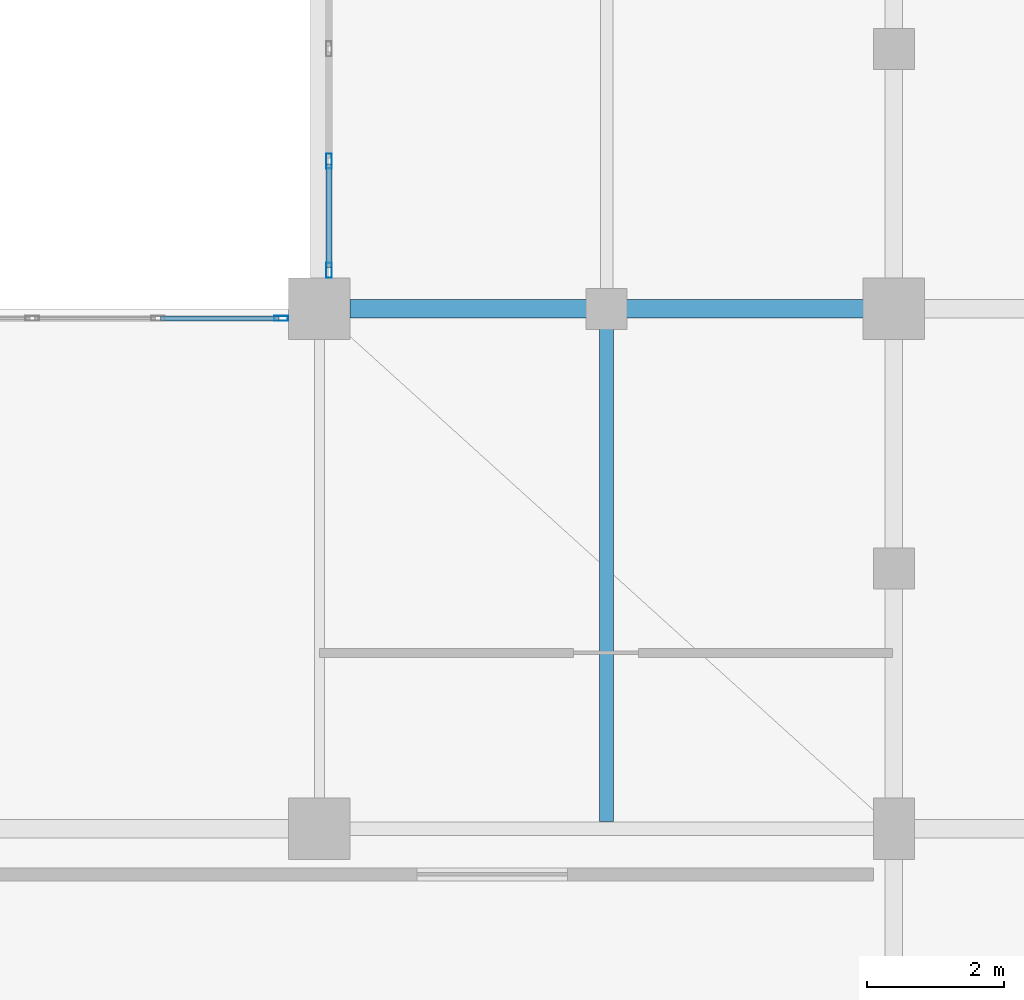
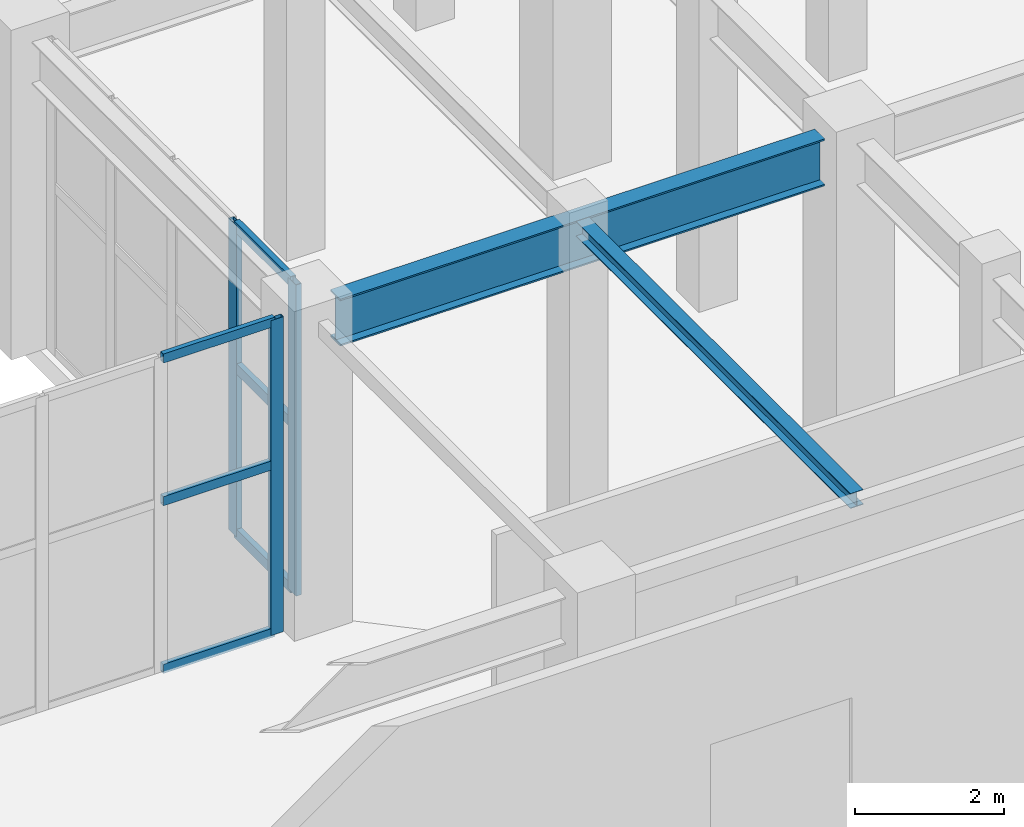
# One storey, part 23 of 139: 9 members, 2 beams, 2 elements without a shape of their own.
"""IFC4 building model written with IfcOpenShell, lengths in metres."""

from ifc_helpers import new_model, si_unit, direction, frame, origin, origin_2d, place, context, subcontext, project, spatial, hollow_rectangle, i_section, extrude, material, layer, layer_set, material_profile, profile_set, type_object, element, aggregate, save


model = new_model("IFC4")

# Units and contexts
model_context = context("Model", 3, precision=1e-05, world=origin(), true_north=direction((0.0, 1.0)))
body_context = subcontext(model_context, "Body", "Model", "MODEL_VIEW")
ifc_project = project(units=[si_unit("LENGTHUNIT", "METRE"), si_unit("AREAUNIT", "SQUARE_METRE"), si_unit("VOLUMEUNIT", "CUBIC_METRE"), si_unit("PLANEANGLEUNIT", "RADIAN"), si_unit("MASSUNIT", "GRAM", prefix="KILO")], contexts=[model_context])

# Site, building, storey
site_placement = place(None, origin())
site = spatial("IfcSite", under=ifc_project, at=site_placement, CompositionType="ELEMENT")
building_placement = place(site_placement, origin())
building = spatial("IfcBuilding", under=site, at=building_placement, Name="Xicomal Pleat Aquarium", CompositionType="ELEMENT")
storey_placement = place(building_placement, origin())
storey = spatial("IfcBuildingStorey", under=building, at=storey_placement, Name="L01", CompositionType="ELEMENT", Elevation=0.0)

# Beams
ifc_material_1 = material(Name="Structural steel A992 Gr 50", Category="steel")
ifc_material_profile_1 = material_profile(ifc_material_1, i_section(OverallWidth=0.201904296875, OverallDepth=0.2470703125, WebThickness=0.00732421875, FlangeThickness=0.010986328125, at=origin_2d()), Name="IR 250x49")
ifc_profile_set_1 = profile_set([ifc_material_profile_1], Name="Structural steel A992 Gr 50")
beam_type_1 = type_object("IfcBeamType", Name="BM-STL-IR250", PredefinedType="JOIST", material=ifc_profile_set_1)
beam_1_placement = place(storey_placement, frame((48.0, 30.5029296875, 4.9765625), z_axis=(0.0, 1.0, 0.0), x_axis=(-1.0, 0.0, 0.0)))
element("IfcBeam", 1, at=beam_1_placement, inside=storey, type_object=beam_type_1, Name="L01 framing beam FBJ-L01-06-E-1", PredefinedType="JOIST", context=body_context, shape_type="SweptSolid", body=[
    extrude(i_section(OverallWidth=0.201904296875, OverallDepth=0.2470703125, WebThickness=0.00732421875, FlangeThickness=0.010986328125, at=origin_2d()), origin(), (0.0, 0.0, 1.0), 7.360107421875),
])
ifc_material_2 = material(Name="Structural steel A992 Gr 50", Category="steel")
ifc_material_profile_2 = material_profile(ifc_material_2, i_section(OverallWidth=0.26806640625, OverallDepth=0.77001953125, WebThickness=0.015625, FlangeThickness=0.025390625, at=origin_2d()), Name="IR 760x196")
ifc_profile_set_2 = profile_set([ifc_material_profile_2], Name="Structural steel A992 Gr 50")
beam_type_2 = type_object("IfcBeamType", Name="BM-STL-IR760", PredefinedType="BEAM", material=ifc_profile_set_2)
beam_2_placement = place(storey_placement, frame((44.2451171875, 38.0, 4.715087890625), z_axis=(1.0, 0.0, 0.0), x_axis=(0.0, 1.0, 0.0)))
element("IfcBeam", 2, at=beam_2_placement, inside=storey, type_object=beam_type_2, Name="L01 framing beam FGX-L01-06-07-F", PredefinedType="BEAM", context=body_context, shape_type="SweptSolid", body=[
    extrude(i_section(OverallWidth=0.26806640625, OverallDepth=0.77001953125, WebThickness=0.015625, FlangeThickness=0.025390625, at=origin_2d()), origin(), (0.0, 0.0, 1.0), 7.509765625),
])

# Curtain wall, member
ifc_material_3 = material(Name="Bronze anodized aluminium 6063-T6", Category="aluminium")
ifc_layer_1 = layer(ifc_material_3, 0.159912109375)
ifc_layer_set_1 = layer_set([ifc_layer_1], Name="Bronze anodized aluminium 6063-T6")
curtain_wall_type_1 = type_object("IfcCurtainWallType", Name="CW-SYS-06", PredefinedType="NOTDEFINED", material=ifc_layer_set_1)
curtain_wall_1_placement = place(storey_placement, origin())
curtain_wall_1 = element("IfcCurtainWall", 3, at=curtain_wall_1_placement, inside=storey, type_object=curtain_wall_type_1, Name="L01 unitised curtain wall CW-L01-028", PredefinedType="NOTDEFINED")
ifc_material_4 = material(Name="Bronze anodized aluminium 6063-T6", Category="aluminium")
ifc_material_profile_3 = material_profile(ifc_material_4, hollow_rectangle(XDim=0.074951171875, YDim=0.199951171875, WallThickness=0.00439453125, at=origin_2d()), Name="ALU MULL 75x200")
ifc_profile_set_3 = profile_set([ifc_material_profile_3], Name="Bronze anodized aluminium 6063-T6")
member_type_1 = type_object("IfcMemberType", Name="CWM-75x200", PredefinedType="MULLION", material=ifc_profile_set_3)
member_1_placement = place(storey_placement, frame((43.242431640625, 37.860107421875, 0.0), z_axis=(0.0, 0.0, 1.0), x_axis=(0.0, 1.0, 0.0)))
member_1 = element("IfcMember", 4, at=member_1_placement, type_object=member_type_1, Name="CW-06 mullion 5", PredefinedType="MULLION", context=body_context, shape_type="SweptSolid", body=[
    extrude(hollow_rectangle(XDim=0.074951171875, YDim=0.199951171875, WallThickness=0.00439453125, at=origin_2d()), origin(), (0.0, 0.0, 1.0), 5.159912109375),
])

# Curtain wall, members
ifc_material_5 = material(Name="Bronze anodized aluminium 6063-T6", Category="aluminium")
ifc_layer_2 = layer(ifc_material_5, 0.159912109375)
ifc_layer_set_2 = layer_set([ifc_layer_2], Name="Bronze anodized aluminium 6063-T6")
curtain_wall_type_2 = type_object("IfcCurtainWallType", Name="CW-SYS-11", PredefinedType="NOTDEFINED", material=ifc_layer_set_2)
curtain_wall_2_placement = place(storey_placement, origin())
curtain_wall_2 = element("IfcCurtainWall", 5, at=curtain_wall_2_placement, inside=storey, type_object=curtain_wall_type_2, Name="L01 unitised curtain wall CW-L01-029", PredefinedType="NOTDEFINED")
ifc_material_6 = material(Name="Bronze anodized aluminium 6063-T6", Category="aluminium")
ifc_material_profile_4 = material_profile(ifc_material_6, hollow_rectangle(XDim=0.0849609375, YDim=0.219970703125, WallThickness=0.0048828125, at=origin_2d()), Name="ALU MULL 85x220")
ifc_profile_set_4 = profile_set([ifc_material_profile_4], Name="Bronze anodized aluminium 6063-T6")
member_type_2 = type_object("IfcMemberType", Name="CWM-85x220", PredefinedType="MULLION", material=ifc_profile_set_4)
member_2_placement = place(storey_placement, frame((43.93994140625, 38.5625, 0.0), z_axis=(0.0, 0.0, 1.0), x_axis=(-1.0, 0.0, 0.0)))
member_2 = element("IfcMember", 6, at=member_2_placement, type_object=member_type_2, Name="CW-11 mullion 1", PredefinedType="MULLION", context=body_context, shape_type="SweptSolid", body=[
    extrude(hollow_rectangle(XDim=0.0849609375, YDim=0.219970703125, WallThickness=0.0048828125, at=origin_2d()), origin(), (0.0, 0.0, 1.0), 5.10009765625),
])
member_3_placement = place(storey_placement, frame((43.93994140625, 40.159912109375, 0.0), z_axis=(0.0, 0.0, 1.0), x_axis=(-1.0, 0.0, 0.0)))
member_3 = element("IfcMember", 7, at=member_3_placement, type_object=member_type_2, Name="CW-11 mullion 2", PredefinedType="MULLION", context=body_context, shape_type="SweptSolid", body=[
    extrude(hollow_rectangle(XDim=0.0849609375, YDim=0.219970703125, WallThickness=0.0048828125, at=origin_2d()), origin(), (0.0, 0.0, 1.0), 5.10009765625),
])

# Member
ifc_material_7 = material(Name="Bronze anodized aluminium 6063-T6", Category="aluminium")
ifc_material_profile_5 = material_profile(ifc_material_7, hollow_rectangle(XDim=0.074951171875, YDim=0.14990234375, WallThickness=0.00439453125, at=origin_2d()), Name="ALU TRAN 75x150")
ifc_profile_set_5 = profile_set([ifc_material_profile_5], Name="Bronze anodized aluminium 6063-T6")
member_type_3 = type_object("IfcMemberType", Name="CWT-75x150", PredefinedType="USERDEFINED", material=ifc_profile_set_5)
member_4_placement = place(storey_placement, frame((41.4775390625, 37.860107421875, 0.03759765625), z_axis=(1.0, 0.0, 0.0), x_axis=(0.0, 1.0, 0.0)))
member_4 = element("IfcMember", 8, at=member_4_placement, type_object=member_type_3, Name="CW-06 transom 4.1", ObjectType="TRANSOM", PredefinedType="USERDEFINED", context=body_context, shape_type="SweptSolid", body=[
    extrude(hollow_rectangle(XDim=0.074951171875, YDim=0.14990234375, WallThickness=0.00439453125, at=origin_2d()), origin(), (0.0, 0.0, 1.0), 1.7275390625),
])

member_5_placement = place(storey_placement, frame((41.4775390625, 37.860107421875, 2.785888671875), z_axis=(1.0, 0.0, 0.0), x_axis=(0.0, 1.0, 0.0)))
member_5 = element("IfcMember", 9, at=member_5_placement, type_object=member_type_3, Name="CW-06 transom 4.2", ObjectType="TRANSOM", PredefinedType="USERDEFINED", context=body_context, shape_type="SweptSolid", body=[
    extrude(hollow_rectangle(XDim=0.074951171875, YDim=0.14990234375, WallThickness=0.00439453125, at=origin_2d()), origin(), (0.0, 0.0, 1.0), 1.7275390625),
])

member_6_placement = place(storey_placement, frame((41.4775390625, 37.860107421875, 5.12255859375), z_axis=(1.0, 0.0, 0.0), x_axis=(0.0, 1.0, 0.0)))
member_6 = element("IfcMember", 10, at=member_6_placement, type_object=member_type_3, Name="CW-06 transom 4.3", ObjectType="TRANSOM", PredefinedType="USERDEFINED", context=body_context, shape_type="SweptSolid", body=[
    extrude(hollow_rectangle(XDim=0.074951171875, YDim=0.14990234375, WallThickness=0.00439453125, at=origin_2d()), origin(), (0.0, 0.0, 1.0), 1.7275390625),
])

aggregate(curtain_wall_1, [member_1, member_4, member_5, member_6])

ifc_material_8 = material(Name="Bronze anodized aluminium 6063-T6", Category="aluminium")
ifc_material_profile_6 = material_profile(ifc_material_8, hollow_rectangle(XDim=0.0849609375, YDim=0.169921875, WallThickness=0.0048828125, at=origin_2d()), Name="ALU TRAN 85x170")
ifc_profile_set_6 = profile_set([ifc_material_profile_6], Name="Bronze anodized aluminium 6063-T6")
member_type_4 = type_object("IfcMemberType", Name="CWT-85x170", PredefinedType="USERDEFINED", material=ifc_profile_set_6)
member_7_placement = place(storey_placement, frame((43.93994140625, 38.60498046875, 0.04248046875), z_axis=(0.0, 1.0, 0.0), x_axis=(-1.0, 0.0, 0.0)))
member_7 = element("IfcMember", 11, at=member_7_placement, type_object=member_type_4, Name="CW-11 transom 1.1", ObjectType="TRANSOM", PredefinedType="USERDEFINED", context=body_context, shape_type="SweptSolid", body=[
    extrude(hollow_rectangle(XDim=0.0849609375, YDim=0.169921875, WallThickness=0.0048828125, at=origin_2d()), origin(), (0.0, 0.0, 1.0), 1.512451171875),
])

member_8_placement = place(storey_placement, frame((43.93994140625, 38.60498046875, 2.75390625), z_axis=(0.0, 1.0, 0.0), x_axis=(-1.0, 0.0, 0.0)))
member_8 = element("IfcMember", 12, at=member_8_placement, type_object=member_type_4, Name="CW-11 transom 1.2", ObjectType="TRANSOM", PredefinedType="USERDEFINED", context=body_context, shape_type="SweptSolid", body=[
    extrude(hollow_rectangle(XDim=0.0849609375, YDim=0.169921875, WallThickness=0.0048828125, at=origin_2d()), origin(), (0.0, 0.0, 1.0), 1.512451171875),
])

member_9_placement = place(storey_placement, frame((43.93994140625, 38.60498046875, 5.0576171875), z_axis=(0.0, 1.0, 0.0), x_axis=(-1.0, 0.0, 0.0)))
member_9 = element("IfcMember", 13, at=member_9_placement, type_object=member_type_4, Name="CW-11 transom 1.3", ObjectType="TRANSOM", PredefinedType="USERDEFINED", context=body_context, shape_type="SweptSolid", body=[
    extrude(hollow_rectangle(XDim=0.0849609375, YDim=0.169921875, WallThickness=0.0048828125, at=origin_2d()), origin(), (0.0, 0.0, 1.0), 1.512451171875),
])

aggregate(curtain_wall_2, [member_2, member_3, member_7, member_8, member_9])

save(model, "model.ifc")
